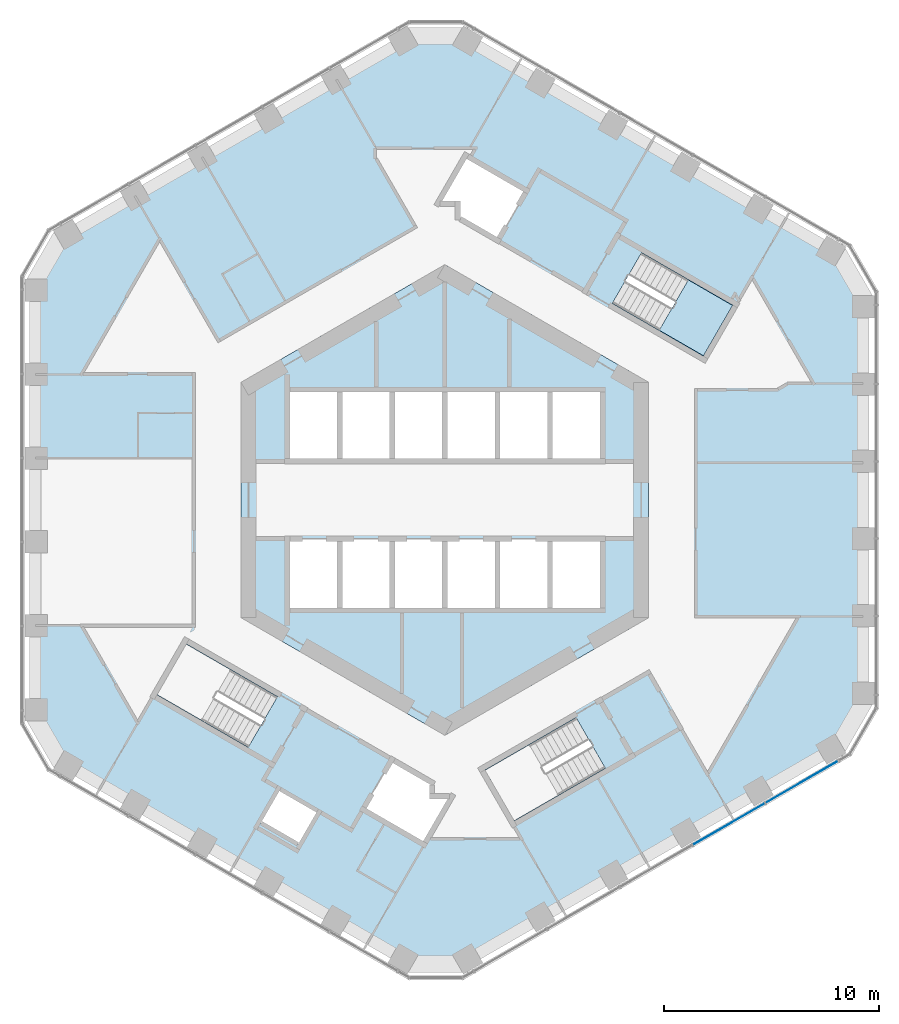
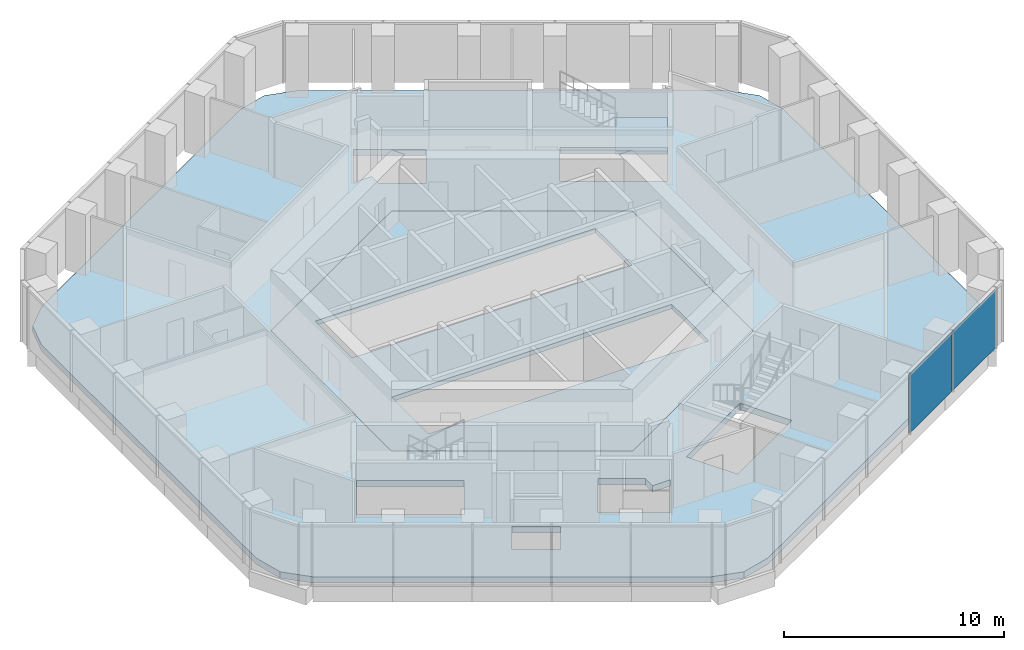
# One storey, part 10 of 19: 3 slabs, 2 plates, 2 elements without a shape of their own.
"""IFC4 building model written with IfcOpenShell, lengths in metres."""

from ifc_helpers import new_model, si_unit, direction, frame, origin, origin_2d, place, context, subcontext, project, spatial, polyline, rectangle, outline, extrude, material, layer, layer_set, type_object, element, aggregate, save


model = new_model("IFC4")

# Units and contexts
model_context = context("Model", 3, precision=1e-05, world=origin(), true_north=direction((0.0, 1.0)))
body_context = subcontext(model_context, "Body", "Model", "MODEL_VIEW")
ifc_project = project(units=[si_unit("LENGTHUNIT", "METRE"), si_unit("AREAUNIT", "SQUARE_METRE"), si_unit("VOLUMEUNIT", "CUBIC_METRE"), si_unit("PLANEANGLEUNIT", "RADIAN"), si_unit("MASSUNIT", "GRAM", prefix="KILO")], contexts=[model_context])

# Site, building, storey
site_placement = place(None, origin())
site = spatial("IfcSite", under=ifc_project, at=site_placement, CompositionType="ELEMENT")
building_placement = place(site_placement, origin())
building = spatial("IfcBuilding", under=site, at=building_placement, Name="Ayvan Gate Tower", CompositionType="ELEMENT")
storey_placement = place(building_placement, frame((0.0, 0.0, 106.89990234375)))
storey = spatial("IfcBuildingStorey", under=building, at=storey_placement, Name="L28", CompositionType="ELEMENT", Elevation=106.89990234375)

# Slabs
ifc_material_1 = material(Name="Concrete C40/50", Category="concrete")
ifc_layer_1 = layer(ifc_material_1, 0.35009765625)
ifc_layer_set_1 = layer_set([ifc_layer_1], Name="Concrete C40/50")
slab_type_1 = type_object("IfcSlabType", Name="Post-tensioned flat slab 350", PredefinedType="FLOOR", material=ifc_layer_set_1)
slab_1_placement = place(storey_placement, frame((0.0, 0.0, -0.349853515625)))
element("IfcSlab", 1, at=slab_1_placement, inside=storey, type_object=slab_type_1, Name="SL-L28", PredefinedType="FLOOR", context=body_context, shape_type="SweptSolid", body=[
    extrude(outline(polyline([(-0.41552734375, -21.796142578125), (-1.91552734375, -21.39404296875), (-17.570068359375, -12.35595703125), (-18.668212890625, -11.2578125), (-19.070068359375, -9.7578125), (-19.070068359375, 9.7578125), (-18.668212890625, 11.2578125), (-17.570068359375, 12.35595703125), (-1.91552734375, 21.39404296875), (-0.41552734375, 21.796142578125), (1.08447265625, 21.39404296875), (17.985595703125, 11.63623046875), (19.083740234375, 10.538330078125), (19.485595703125, 9.038330078125), (19.485595703125, -9.038330078125), (19.083740234375, -10.538330078125), (17.985595703125, -11.63623046875), (1.08447265625, -21.39404296875), (-0.41552734375, -21.796142578125)]), holes=[polyline([(13.404541015625, 9.0673828125), (9.1611328125, 11.517578125), (7.80615234375, 9.170654296875), (12.049560546875, 6.720458984375), (13.404541015625, 9.0673828125)]), polyline([(0.0, 10.9697265625), (-9.5, 5.48486328125), (-9.5, -5.48486328125), (0.0, -10.9697265625), (9.5, -5.48486328125), (9.5, 5.48486328125), (0.0, 10.9697265625)]), polyline([(3.228759765625, -14.9423828125), (7.472412109375, -12.492431640625), (6.117431640625, -10.1455078125), (1.873779296875, -12.595458984375), (3.228759765625, -14.9423828125)]), polyline([(2.472412109375, 12.08251953125), (3.822509765625, 14.420654296875), (0.964599609375, 16.07080078125), (-0.340576171875, 13.81005859375), (0.60009765625, 13.81005859375), (0.60009765625, 13.16357421875), (2.472412109375, 12.08251953125)]), polyline([(0.340576171875, -13.81005859375), (-0.60009765625, -13.81005859375), (-0.60009765625, -13.16357421875), (-2.472412109375, -12.08251953125), (-3.822509765625, -14.420654296875), (-0.964599609375, -16.07080078125), (-0.805908203125, -15.796142578125), (0.340576171875, -13.81005859375)]), polyline([(-5.8447265625, -14.5234375), (-7.75, -13.42333984375), (-8.6611328125, -15.001708984375), (-6.755859375, -16.1015625), (-5.8447265625, -14.5234375)]), polyline([(-7.80615234375, -9.170654296875), (-12.049560546875, -6.720458984375), (-13.404541015625, -9.0673828125), (-9.1611328125, -11.517578125), (-7.80615234375, -9.170654296875)])]), origin(), (0.0, 0.0, 1.0), 0.349853515625),
])
ifc_layer_2 = layer(ifc_material_1, 0.25)
ifc_layer_set_2 = layer_set([ifc_layer_2], Name="Concrete C40/50")
slab_type_2 = type_object("IfcSlabType", Name="SL-CORE-250", PredefinedType="FLOOR", material=ifc_layer_set_2)
slab_2_placement = place(storey_placement, frame((0.0, 0.0, -0.25)))
element("IfcSlab", 2, at=slab_2_placement, inside=storey, type_object=slab_type_2, Name="CS-L28", PredefinedType="FLOOR", context=body_context, shape_type="SweptSolid", body=[
    extrude(outline(polyline([(9.5, -5.48486328125), (0.0, -10.9697265625), (-9.5, -5.48486328125), (-9.5, 5.48486328125), (0.0, 10.9697265625), (9.5, 5.48486328125), (9.5, -5.48486328125)]), holes=[polyline([(-7.35009765625, -1.800048828125), (-7.35009765625, -5.14990234375), (7.35009765625, -5.14990234375), (7.35009765625, -1.800048828125), (-7.35009765625, -1.800048828125)]), polyline([(-7.35009765625, 5.14990234375), (-7.35009765625, 1.800048828125), (7.35009765625, 1.800048828125), (7.35009765625, 5.14990234375), (-7.35009765625, 5.14990234375)])]), origin(), (0.0, 0.0, 1.0), 0.25),
])

# Stair, slab
stair_type = type_object("IfcStairType", Name="ST-EXIT", PredefinedType="HALF_TURN_STAIR", material=ifc_material_1)
stair_placement = place(storey_placement, origin())
stair = element("IfcStair", 3, at=stair_placement, inside=storey, type_object=stair_type, Name="L28 Exit Stair S1", PredefinedType="HALF_TURN_STAIR")
ifc_layer_3 = layer(ifc_material_1, 0.199951171875)
ifc_layer_set_3 = layer_set([ifc_layer_3], Name="Concrete C40/50")
slab_type_3 = type_object("IfcSlabType", Name="SL-LANDING-200", PredefinedType="LANDING", material=ifc_layer_set_3)
slab_3_placement = place(storey_placement, frame((0.0, 0.0, 1.5)))
slab_3 = element("IfcSlab", 4, at=slab_3_placement, type_object=slab_type_3, Name="STS1 landing 1", PredefinedType="LANDING", context=body_context, shape_type="SweptSolid", body=[
    extrude(outline(polyline([(9.988525390625, 7.91064453125), (12.049560546875, 6.720458984375), (13.404541015625, 9.0673828125), (11.343505859375, 10.257568359375), (9.988525390625, 7.91064453125)])), origin(), (0.0, 0.0, 1.0), 0.2001953125),
])
aggregate(stair, [slab_3])

# Curtain wall, plates
ifc_material_2 = material(Name="Bronze anodised aluminium", Category="aluminium")
ifc_layer_4 = layer(ifc_material_2, 0.199951171875)
ifc_layer_set_4 = layer_set([ifc_layer_4], Name="Bronze anodised aluminium")
curtain_wall_type = type_object("IfcCurtainWallType", Name="Stick curtain wall CW-1", PredefinedType="NOTDEFINED", material=ifc_layer_set_4)
curtain_wall_placement = place(storey_placement, origin())
curtain_wall = element("IfcCurtainWall", 5, at=curtain_wall_placement, inside=storey, type_object=curtain_wall_type, Name="Stick curtain wall CW-1 L28", PredefinedType="NOTDEFINED")
ifc_material_3 = material(Name="Clear low-iron laminated glass", Category="glass")
ifc_layer_5 = layer(ifc_material_3, 0.028076171875)
ifc_layer_set_5 = layer_set([ifc_layer_5], Name="Clear low-iron laminated glass")
plate_type = type_object("IfcPlateType", Name="Stick curtain wall CW-1 glass panel", PredefinedType="CURTAIN_PANEL", material=ifc_layer_set_5)
plate_1_placement = place(storey_placement, frame((13.233642578125, -15.1015625, 0.0), z_axis=(0.0, 0.0, 1.0), x_axis=(0.866025403784, 0.5, 0.0)))
plate_1 = element("IfcPlate", 6, at=plate_1_placement, type_object=plate_type, Name="CW-1 glass panel 4", PredefinedType="CURTAIN_PANEL", context=body_context, shape_type="SweptSolid", body=[
    extrude(rectangle(XDim=3.85009765625, YDim=0.028076171875, at=origin_2d()), origin(), (0.0, 0.0, 1.0), 3.280029296875),
])
plate_2_placement = place(storey_placement, frame((16.64794921875, -13.130126953125, 0.0), z_axis=(0.0, 0.0, 1.0), x_axis=(0.866025403784, 0.5, 0.0)))
plate_2 = element("IfcPlate", 7, at=plate_2_placement, type_object=plate_type, Name="CW-1 glass panel 5", PredefinedType="CURTAIN_PANEL", context=body_context, shape_type="SweptSolid", body=[
    extrude(rectangle(XDim=3.915283203125, YDim=0.028076171875, at=origin_2d()), origin(), (0.0, 0.0, 1.0), 3.280029296875),
])
aggregate(curtain_wall, [plate_1, plate_2])

save(model, "model.ifc")
